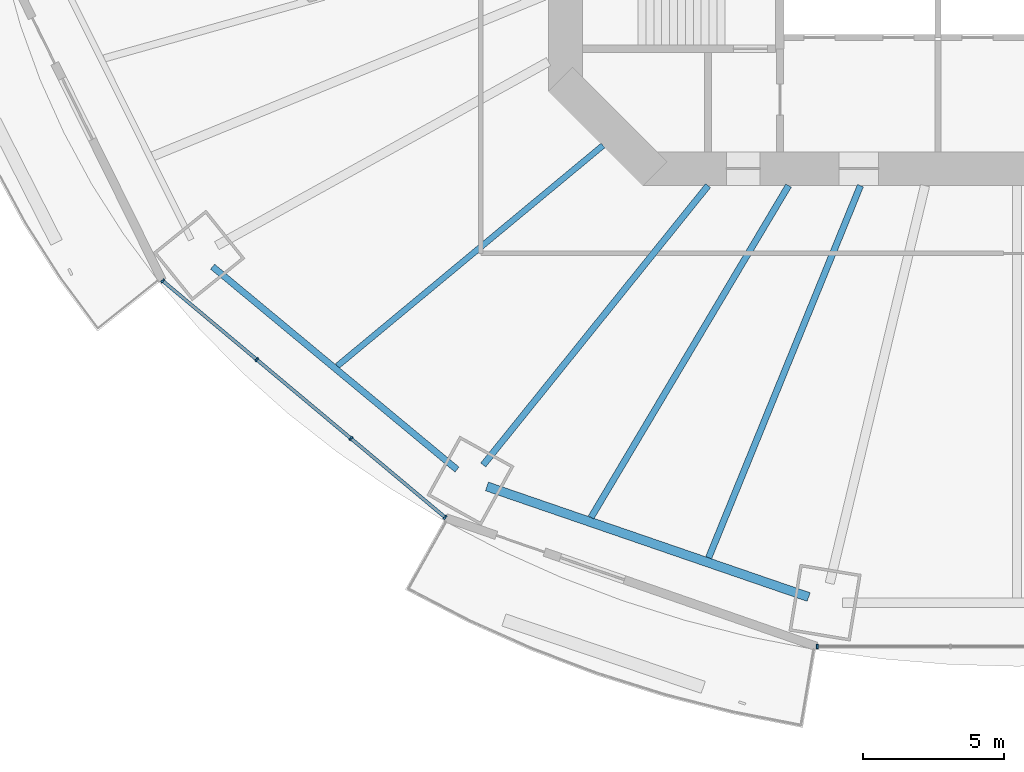
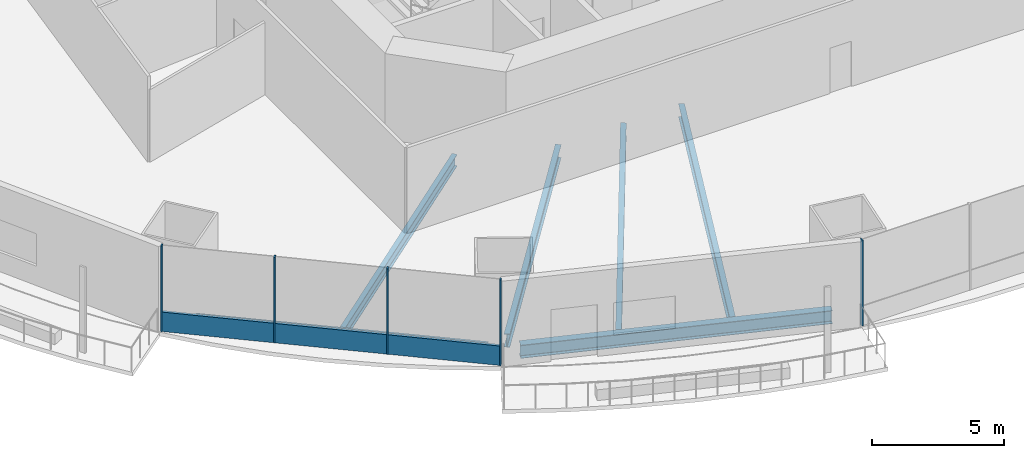
# One storey, part 2 of 23: 6 beams, 6 members, 2 elements without a shape of their own.
"""IFC4 building model written with IfcOpenShell, lengths in metres."""

import ifcopenshell
import ifcopenshell.guid

model = None  # the IFC model being written
_history = None  # IfcOwnerHistory: only IFC2X3 demands one
_inside = {}  # id of a spatial element -> (the spatial element, [elements in it])
_under = {}  # id of a project, library or spatial element -> (it, [spatial elements below it])
_declared = {}  # id of a project -> (the project, [libraries it declares])
_typed = {}  # id of a type object -> (the type object, [elements of that type])
_made_of = {}  # id of a material, layer set ... -> (it, [elements and type objects made of it])


def new_model(schema):
    """Start an empty IFC model of exactly this schema.

    Asked for "IFC4X3", IfcOpenShell would pick the latest addendum, in which some entities
    have other attributes; the version numbers below select the first issue.
    IFC2X3 requires an IfcOwnerHistory on every rooted entity: one is made here for all.
    """
    global model, _history
    if schema == "IFC4X3":
        model = ifcopenshell.file(schema_version=(4, 3, 0, 0))
    else:
        model = ifcopenshell.file(schema=schema)
    _inside.clear()
    _under.clear()
    _declared.clear()
    _typed.clear()
    _made_of.clear()
    _history = None
    if model.schema == "IFC2X3":
        org = make("IfcOrganization", Name="unknown")
        user = make(
            "IfcPersonAndOrganization",
            ThePerson=make("IfcPerson", FamilyName="unknown"),
            TheOrganization=org,
        )
        app = make(
            "IfcApplication",
            ApplicationDeveloper=org,
            Version="unknown",
            ApplicationFullName="unknown",
            ApplicationIdentifier="unknown",
        )
        _history = make(
            "IfcOwnerHistory",
            OwningUser=user,
            OwningApplication=app,
            ChangeAction="ADDED",
            CreationDate=0,
        )
    return model


def make(cls, **values):
    """One entity of the class cls with the attributes given. An attribute that is None is left unset."""
    return model.create_entity(
        cls, **{name: value for name, value in values.items() if value is not None}
    )


def rooted(cls, **values):
    """An entity with a GlobalId (a new one), such as an element, a storey or a relation."""
    return make(cls, GlobalId=ifcopenshell.guid.new(), OwnerHistory=_history, **values)


def si_unit(unit_type, name, prefix=None):
    """IfcSIUnit, for example si_unit("LENGTHUNIT", "METRE", prefix="MILLI")."""
    return make("IfcSIUnit", UnitType=unit_type, Prefix=prefix, Name=name)


def assignment(units):
    """IfcUnitAssignment: the units of a project."""
    return None if units is None else make("IfcUnitAssignment", Units=units)


def point(xyz):
    """IfcCartesianPoint."""
    return None if xyz is None else make("IfcCartesianPoint", Coordinates=xyz)


def direction(xyz):
    """IfcDirection."""
    return None if xyz is None else make("IfcDirection", DirectionRatios=xyz)


def frame(location, z_axis=None, x_axis=None):
    """IfcAxis2Placement3D, a coordinate frame: its origin and axes. An axis left out is left unset."""
    return make(
        "IfcAxis2Placement3D",
        Location=point(location),
        Axis=direction(z_axis),
        RefDirection=direction(x_axis),
    )


def frame_2d(location, x_axis=None):
    """IfcAxis2Placement2D, a coordinate frame in the plane: its origin and x axis."""
    return make(
        "IfcAxis2Placement2D", Location=point(location), RefDirection=direction(x_axis)
    )


def origin():
    """The frame at (0, 0, 0) with its axes left unset."""
    return frame((0.0, 0.0, 0.0))


def origin_2d():
    """The frame at (0, 0) in the plane with its x axis left unset."""
    return frame_2d((0.0, 0.0))


def place(relative_to, where):
    """IfcLocalPlacement: puts the frame where relative to a parent placement (None: the world)."""
    return make(
        "IfcLocalPlacement", PlacementRelTo=relative_to, RelativePlacement=where
    )


def context(
    kind, dimensions, precision=None, world=None, true_north=None, identifier=None
):
    """IfcGeometricRepresentationContext, for example the 3D "Model" context."""
    return make(
        "IfcGeometricRepresentationContext",
        ContextIdentifier=identifier,
        ContextType=kind,
        CoordinateSpaceDimension=dimensions,
        Precision=precision,
        WorldCoordinateSystem=world,
        TrueNorth=true_north,
    )


def subcontext(parent, identifier, kind, view, scale=None):
    """IfcGeometricRepresentationSubContext, for example "Body" below "Model"."""
    return make(
        "IfcGeometricRepresentationSubContext",
        ContextIdentifier=identifier,
        ContextType=kind,
        ParentContext=parent,
        TargetScale=scale,
        TargetView=view,
    )


def project(units=None, contexts=None):
    """IfcProject with its units and contexts."""
    return rooted(
        "IfcProject",
        Name="project",
        RepresentationContexts=contexts,
        UnitsInContext=assignment(units),
    )


def spatial(cls, under=None, at=None, **own):
    """A site, building, storey or space (cls), placed at a placement, below another one or the project."""
    s = rooted(cls, ObjectPlacement=at, **own)
    if under is not None:
        _under.setdefault(under.id(), (under, []))[1].append(s)
    return s


def profile(cls, at=None, kind="AREA", **sizes):
    """A parametric profile (cls). Its sizes go by their IFC names, for example OverallWidth=200.0."""
    return make(cls, ProfileType=kind, Position=at, **sizes)


def rectangle(**sizes):
    """IfcRectangleProfileDef."""
    return profile("IfcRectangleProfileDef", **sizes)


def i_section(**sizes):
    """IfcIShapeProfileDef."""
    return profile("IfcIShapeProfileDef", **sizes)


def extrude(swept, where, along, depth):
    """IfcExtrudedAreaSolid: the profile swept, set in the frame where, extruded along a direction by depth."""
    return make(
        "IfcExtrudedAreaSolid",
        SweptArea=swept,
        Position=where,
        ExtrudedDirection=direction(along),
        Depth=depth,
    )


def shape(context_of_items, identifier, shape_type, items):
    """IfcShapeRepresentation: the items that make up one representation, for example the "Body"."""
    return make(
        "IfcShapeRepresentation",
        ContextOfItems=context_of_items,
        RepresentationIdentifier=identifier,
        RepresentationType=shape_type,
        Items=items,
    )


def material(Name=None, Category=None):
    """IfcMaterial."""
    return make("IfcMaterial", Name=Name, Category=Category)


def material_profile(
    of_material, cross_section, Name=None, Category=None, Priority=None
):
    """IfcMaterialProfile: a cross section and its material."""
    return make(
        "IfcMaterialProfile",
        Name=Name,
        Material=of_material,
        Profile=cross_section,
        Priority=Priority,
        Category=Category,
    )


def profile_set(profiles, Name=None, composite=None):
    """IfcMaterialProfileSet."""
    return make(
        "IfcMaterialProfileSet",
        Name=Name,
        MaterialProfiles=profiles,
        CompositeProfile=composite,
    )


def made_of(thing, what):
    """Note that an element or type object is made of a material, layer set ...; save() writes the relation."""
    if what is not None:
        _made_of.setdefault(what.id(), (what, []))[1].append(thing)
    return thing


def type_object(cls, material=None, **own):
    """A type object (cls), such as IfcWallType, which elements share."""
    return made_of(rooted(cls, **own), material)


def element(
    cls,
    number,
    at=None,
    inside=None,
    cuts=None,
    type_object=None,
    material=None,
    context=None,
    identifier="Body",
    shape_type=None,
    held_by="IfcProductDefinitionShape",
    body=None,
    shapes=None,
    **own,
):
    """One element of the class cls, such as IfcWall. Its Tag is "e" and its number.

    at: its placement. inside: the storey or other place that contains it. cuts: it is an
    opening in that element (IfcRelVoidsElement). A single representation is given by context,
    identifier, shape_type and body (its items); several are given by shapes. held_by: the class
    of the entity that holds the representations. save() writes the other relations.
    """
    e = rooted(cls, Tag="e%d" % number, ObjectPlacement=at, **own)
    if body is not None:
        shapes = [shape(context, identifier, shape_type, body)]
    if shapes is not None:
        e.Representation = make(held_by, Representations=shapes)
    if inside is not None:
        _inside.setdefault(inside.id(), (inside, []))[1].append(e)
    if cuts is not None:
        rooted(
            "IfcRelVoidsElement", RelatingBuildingElement=cuts, RelatedOpeningElement=e
        )
    if type_object is not None:
        _typed.setdefault(type_object.id(), (type_object, []))[1].append(e)
    return made_of(e, material)


def aggregate(whole, parts):
    """IfcRelAggregates: a whole, such as a stair, and the parts it consists of."""
    return rooted("IfcRelAggregates", RelatingObject=whole, RelatedObjects=parts)


def save(model, path):
    """Write the relations noted so far, then the file.

    IfcRelAggregates (storeys below a building ...), IfcRelContainedInSpatialStructure (elements
    in a storey), IfcRelDefinesByType, IfcRelAssociatesMaterial and IfcRelDeclares: one each for
    every whole, place, type object, material and project.
    """
    for whole, parts in _under.values():
        aggregate(whole, parts)
    for where, things in _inside.values():
        rooted(
            "IfcRelContainedInSpatialStructure",
            RelatedElements=things,
            RelatingStructure=where,
        )
    for kind, things in _typed.values():
        rooted("IfcRelDefinesByType", RelatedObjects=things, RelatingType=kind)
    for what, things in _made_of.values():
        rooted("IfcRelAssociatesMaterial", RelatedObjects=things, RelatingMaterial=what)
    for by, libraries in _declared.values():
        rooted("IfcRelDeclares", RelatingContext=by, RelatedDefinitions=libraries)
    model.write(path)


model = new_model("IFC4")

# Units and contexts
model_context = context("Model", 3, precision=1e-05, world=origin(), true_north=direction((0.0, 1.0)))
body_context = subcontext(model_context, "Body", "Model", "MODEL_VIEW")
ifc_project = project(units=[si_unit("LENGTHUNIT", "METRE"), si_unit("AREAUNIT", "SQUARE_METRE"), si_unit("VOLUMEUNIT", "CUBIC_METRE"), si_unit("PLANEANGLEUNIT", "RADIAN"), si_unit("MASSUNIT", "GRAM", prefix="KILO")], contexts=[model_context])

# Site, building, storey
site_placement = place(None, origin())
site = spatial("IfcSite", under=ifc_project, at=site_placement, CompositionType="ELEMENT")
building_placement = place(site_placement, origin())
building = spatial("IfcBuilding", under=site, at=building_placement, Name="Marenthal Gate Tower", CompositionType="ELEMENT")
storey_placement = place(building_placement, frame((0.0, 0.0, 53.75)))
storey = spatial("IfcBuildingStorey", under=building, at=storey_placement, Name="L09", CompositionType="ELEMENT", Elevation=53.75)

# Curtain wall, members
ifc_material_1 = material(Name="Aluminium and glass", Category="aluminium")
curtain_wall_type = type_object("IfcCurtainWallType", Name="Curtain wall typical low", PredefinedType="NOTDEFINED", material=ifc_material_1)
curtain_wall_1_placement = place(storey_placement, origin())
curtain_wall_1 = element("IfcCurtainWall", 1, at=curtain_wall_1_placement, inside=storey, type_object=curtain_wall_type, Name="Curtain wall L09 bay 10", PredefinedType="NOTDEFINED")
ifc_material_2 = material(Name="Aluminium", Category="aluminium")
ifc_material_profile_1 = material_profile(ifc_material_2, rectangle(XDim=0.159912109375, YDim=0.06005859375, at=origin_2d()), Name="60x160 aluminium mullion")
ifc_profile_set_1 = profile_set([ifc_material_profile_1], Name="Aluminium")
member_type_1 = type_object("IfcMemberType", Name="Mullion 60x160 typical low", PredefinedType="MULLION", material=ifc_profile_set_1)
member_1_placement = place(storey_placement, frame((-30.274169921875, -16.972412109375, 0.0), z_axis=(0.0, 0.0, 1.0), x_axis=(0.642047277641, 0.766665046336, 0.0)))
member_1 = element("IfcMember", 2, at=member_1_placement, type_object=member_type_1, Name="Mullion L09 bay 10.1", PredefinedType="MULLION", context=body_context, shape_type="SweptSolid", body=[
    extrude(rectangle(XDim=0.159912109375, YDim=0.06005859375, at=origin_2d()), origin(), (0.0, 0.0, 1.0), 3.969970703125),
])
member_2_placement = place(storey_placement, frame((-26.938232421875, -19.76611328125, 0.0), z_axis=(0.0, 0.0, 1.0), x_axis=(0.642047277641, 0.766665046336, 0.0)))
member_2 = element("IfcMember", 3, at=member_2_placement, type_object=member_type_1, Name="Mullion L09 bay 10.2", PredefinedType="MULLION", context=body_context, shape_type="SweptSolid", body=[
    extrude(rectangle(XDim=0.159912109375, YDim=0.06005859375, at=origin_2d()), origin(), (0.0, 0.0, 1.0), 3.969970703125),
])
member_3_placement = place(storey_placement, frame((-23.6025390625, -22.5595703125, 0.0), z_axis=(0.0, 0.0, 1.0), x_axis=(0.642047277641, 0.766665046336, 0.0)))
member_3 = element("IfcMember", 4, at=member_3_placement, type_object=member_type_1, Name="Mullion L09 bay 10.3", PredefinedType="MULLION", context=body_context, shape_type="SweptSolid", body=[
    extrude(rectangle(XDim=0.159912109375, YDim=0.06005859375, at=origin_2d()), origin(), (0.0, 0.0, 1.0), 3.969970703125),
])
member_4_placement = place(storey_placement, frame((-20.266845703125, -25.35302734375, 0.0), z_axis=(0.0, 0.0, 1.0), x_axis=(0.642047277641, 0.766665046336, 0.0)))
member_4 = element("IfcMember", 5, at=member_4_placement, type_object=member_type_1, Name="Mullion L09 bay 10.4", PredefinedType="MULLION", context=body_context, shape_type="SweptSolid", body=[
    extrude(rectangle(XDim=0.159912109375, YDim=0.06005859375, at=origin_2d()), origin(), (0.0, 0.0, 1.0), 3.969970703125),
])

# Curtain wall, member
curtain_wall_2_placement = place(storey_placement, origin())
curtain_wall_2 = element("IfcCurtainWall", 6, at=curtain_wall_2_placement, inside=storey, type_object=curtain_wall_type, Name="Curtain wall L09 bay 12", PredefinedType="NOTDEFINED")
member_5_placement = place(storey_placement, frame((-7.07861328125, -29.9287109375, 0.0), z_axis=(0.0, 0.0, 1.0), x_axis=(0.0, 1.0, 0.0)))
member_5 = element("IfcMember", 7, at=member_5_placement, type_object=member_type_1, Name="Mullion L09 bay 12.1", PredefinedType="MULLION", context=body_context, shape_type="SweptSolid", body=[
    extrude(rectangle(XDim=0.159912109375, YDim=0.06005859375, at=origin_2d()), origin(), (0.0, 0.0, 1.0), 3.969970703125),
])
aggregate(curtain_wall_2, [member_5])

# Member
ifc_material_3 = material(Name="Aluminium", Category="aluminium")
ifc_material_profile_2 = material_profile(ifc_material_3, rectangle(XDim=0.1201171875, YDim=0.89990234375, at=origin_2d()), Name="120x900 aluminium transom")
ifc_profile_set_2 = profile_set([ifc_material_profile_2], Name="Aluminium")
member_type_2 = type_object("IfcMemberType", Name="Transom 120x900 typical low", PredefinedType="USERDEFINED", material=ifc_profile_set_2)
member_6_placement = place(storey_placement, frame((-30.251220703125, -16.99169921875, 0.449951171875), z_axis=(0.766672707648, -0.6420381292, 0.0), x_axis=(0.6420381292, 0.766672707648, 0.0)))
member_6 = element("IfcMember", 8, at=member_6_placement, type_object=member_type_2, Name="Transom L09 bay 10", ObjectType="TRANSOM", PredefinedType="USERDEFINED", context=body_context, shape_type="SweptSolid", body=[
    extrude(rectangle(XDim=0.1201171875, YDim=0.89990234375, at=origin_2d()), origin(), (0.0, 0.0, 1.0), 12.9931640625),
])

aggregate(curtain_wall_1, [member_1, member_2, member_3, member_4, member_6])

# Beams
ifc_material_4 = material(Name="Steel S355", Category="steel")
ifc_material_profile_3 = material_profile(ifc_material_4, i_section(OverallWidth=0.2119140625, OverallDepth=0.5439453125, WebThickness=0.01318359375, FlangeThickness=0.021240234375, FilletRadius=0.0126953125, at=origin_2d()), Name="W530X123")
ifc_profile_set_3 = profile_set([ifc_material_profile_3], Name="Steel S355")
beam_type_1 = type_object("IfcBeamType", Name="W530X123 beam", PredefinedType="BEAM", material=ifc_profile_set_3)
beam_1_placement = place(storey_placement, frame((-24.085205078125, -19.99267578125, -0.451904296875), z_axis=(0.769446518411, 0.638711245639, 0.0), x_axis=(-0.638711245639, 0.769446518411, 0.0)))
element("IfcBeam", 9, at=beam_1_placement, inside=storey, type_object=beam_type_1, Name="BM-L09-31", PredefinedType="BEAM", context=body_context, shape_type="SweptSolid", body=[
    extrude(i_section(OverallWidth=0.2119140625, OverallDepth=0.5439453125, WebThickness=0.01318359375, FlangeThickness=0.021240234375, FilletRadius=0.0126953125, at=origin_2d()), origin(), (0.0, 0.0, 1.0), 12.235595703125),
])
ifc_material_5 = material(Name="Steel S355", Category="steel")
ifc_material_profile_4 = material_profile(ifc_material_5, i_section(OverallWidth=0.22900390625, OverallDepth=0.612060546875, WebThickness=0.011962890625, FlangeThickness=0.01953125, FilletRadius=0.0126953125, at=origin_2d()), Name="W610X125")
ifc_profile_set_4 = profile_set([ifc_material_profile_4], Name="Steel S355")
beam_type_2 = type_object("IfcBeamType", Name="W610X125 beam", PredefinedType="BEAM", material=ifc_profile_set_4)
beam_2_placement = place(storey_placement, frame((-18.916015625, -23.49951171875, -0.486083984375), z_axis=(0.627042105716, 0.778985364214, 0.0), x_axis=(-0.778985364214, 0.627042105716, 0.0)))
element("IfcBeam", 10, at=beam_2_placement, inside=storey, type_object=beam_type_2, Name="BM-L09-11", PredefinedType="BEAM", context=body_context, shape_type="SweptSolid", body=[
    extrude(i_section(OverallWidth=0.22900390625, OverallDepth=0.612060546875, WebThickness=0.011962890625, FlangeThickness=0.01953125, FilletRadius=0.0126953125, at=origin_2d()), origin(), (0.0, 0.0, 1.0), 12.7080078125),
])
beam_3_placement = place(storey_placement, frame((-15.0927734375, -25.356201171875, -0.486083984375), z_axis=(0.511477271469, 0.859296805982, 0.0), x_axis=(-0.859296805982, 0.511477271469, 0.0)))
element("IfcBeam", 11, at=beam_3_placement, inside=storey, type_object=beam_type_2, Name="BM-L09-32", PredefinedType="BEAM", context=body_context, shape_type="SweptSolid", body=[
    extrude(i_section(OverallWidth=0.22900390625, OverallDepth=0.612060546875, WebThickness=0.011962890625, FlangeThickness=0.01953125, FilletRadius=0.0126953125, at=origin_2d()), origin(), (0.0, 0.0, 1.0), 13.68115234375),
])
beam_4_placement = place(storey_placement, frame((-10.927490234375, -26.7880859375, -0.486083984375), z_axis=(0.377703578377, 0.925926566679, 0.0), x_axis=(-0.925926566679, 0.377703578377, 0.0)))
element("IfcBeam", 12, at=beam_4_placement, inside=storey, type_object=beam_type_2, Name="BM-L09-33", PredefinedType="BEAM", context=body_context, shape_type="SweptSolid", body=[
    extrude(i_section(OverallWidth=0.22900390625, OverallDepth=0.612060546875, WebThickness=0.011962890625, FlangeThickness=0.01953125, FilletRadius=0.0126953125, at=origin_2d()), origin(), (0.0, 0.0, 1.0), 14.242919921875),
])
beam_5_placement = place(storey_placement, frame((-28.50439453125, -16.472900390625, -0.486083984375), z_axis=(0.76943582663, -0.638724125658, 0.0), x_axis=(0.638724125658, 0.76943582663, 0.0)))
element("IfcBeam", 13, at=beam_5_placement, inside=storey, type_object=beam_type_2, Name="BM-L09-50", PredefinedType="BEAM", context=body_context, shape_type="SweptSolid", body=[
    extrude(i_section(OverallWidth=0.22900390625, OverallDepth=0.612060546875, WebThickness=0.011962890625, FlangeThickness=0.01953125, FilletRadius=0.0126953125, at=origin_2d()), origin(), (0.0, 0.0, 1.0), 11.257080078125),
])
ifc_material_6 = material(Name="Steel S355", Category="steel")
ifc_material_profile_5 = material_profile(ifc_material_6, i_section(OverallWidth=0.324951171875, OverallDepth=0.612060546875, WebThickness=0.0126953125, FlangeThickness=0.01904296875, FilletRadius=0.0126953125, at=origin_2d()), Name="W610X155")
ifc_profile_set_5 = profile_set([ifc_material_profile_5], Name="Steel S355")
beam_type_3 = type_object("IfcBeamType", Name="W610X155 beam", PredefinedType="BEAM", material=ifc_profile_set_5)
beam_6_placement = place(storey_placement, frame((-18.782470703125, -24.25927734375, -0.486083984375), z_axis=(0.945659940371, -0.325157311431, 0.0), x_axis=(0.325157311431, 0.945659940371, 0.0)))
element("IfcBeam", 14, at=beam_6_placement, inside=storey, type_object=beam_type_3, Name="BM-L09-51", PredefinedType="BEAM", context=body_context, shape_type="SweptSolid", body=[
    extrude(i_section(OverallWidth=0.324951171875, OverallDepth=0.612060546875, WebThickness=0.0126953125, FlangeThickness=0.01904296875, FilletRadius=0.0126953125, at=origin_2d()), origin(), (0.0, 0.0, 1.0), 12.0546875),
])

save(model, "model.ifc")
